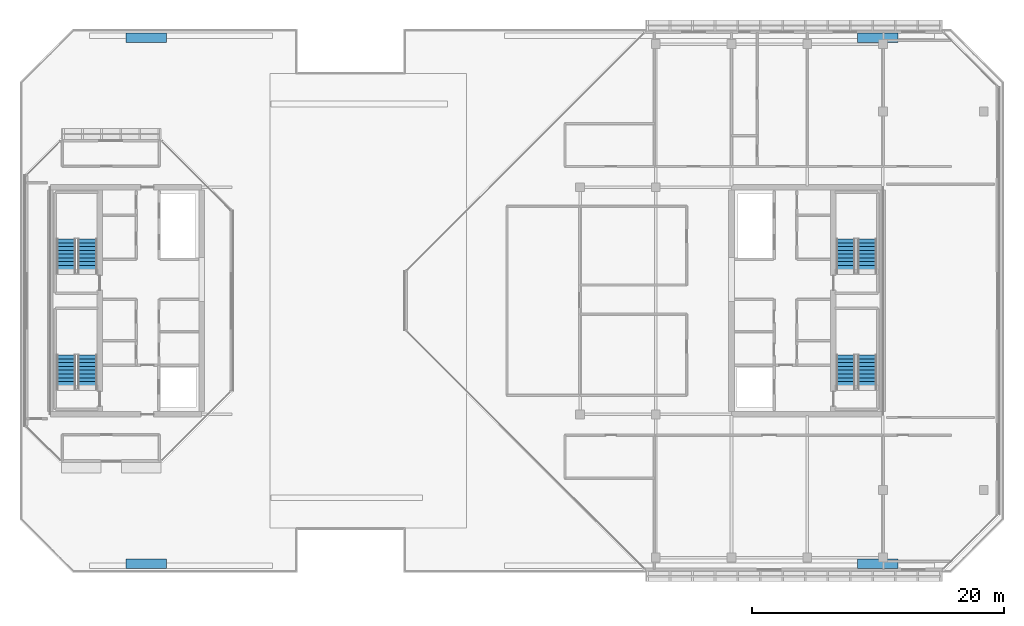
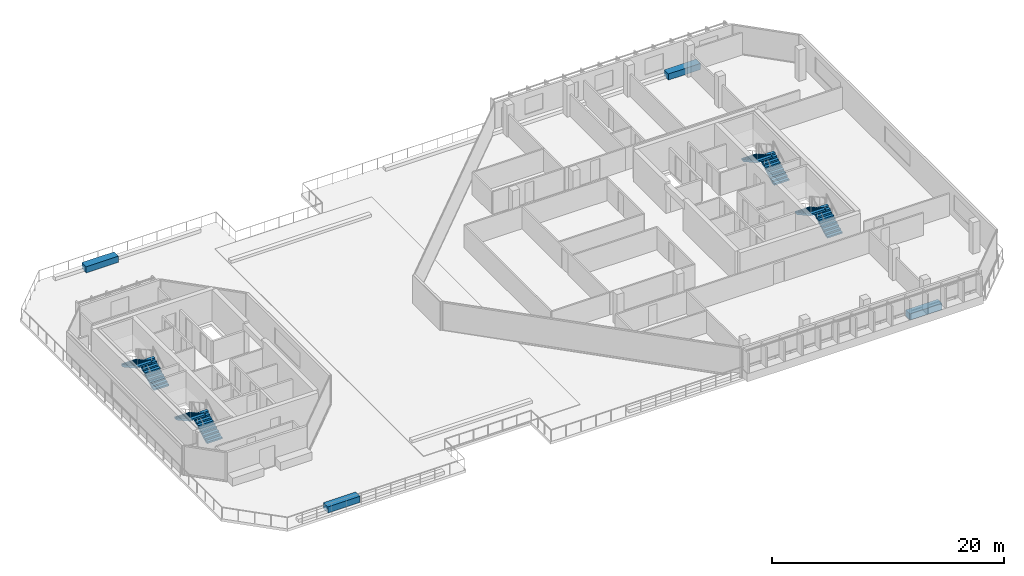
# One storey, part 25 of 30: 8 stair flights, 4 discrete accessories, 4 elements without a shape of their own.
"""IFC4 building model written with IfcOpenShell, lengths in metres."""

from ifc_helpers import new_model, si_unit, direction, frame, origin, origin_2d, place, context, subcontext, project, spatial, polyline, rectangle, outline, extrude, material, type_object, element, aggregate, save


model = new_model("IFC4")

# Units and contexts
model_context = context("Model", 3, precision=1e-05, world=origin(), true_north=direction((0.0, 1.0)))
body_context = subcontext(model_context, "Body", "Model", "MODEL_VIEW")
ifc_project = project(units=[si_unit("LENGTHUNIT", "METRE"), si_unit("AREAUNIT", "SQUARE_METRE"), si_unit("VOLUMEUNIT", "CUBIC_METRE"), si_unit("PLANEANGLEUNIT", "RADIAN"), si_unit("MASSUNIT", "GRAM", prefix="KILO")], contexts=[model_context])

# Site, building, storey
site_placement = place(None, origin())
site = spatial("IfcSite", under=ifc_project, at=site_placement, CompositionType="ELEMENT")
building_placement = place(site_placement, origin())
building = spatial("IfcBuilding", under=site, at=building_placement, Name="Tanjung Sevakor Pilgrim Tower", CompositionType="ELEMENT")
storey_placement = place(building_placement, frame((0.0, 0.0, 229.35009765625)))
storey = spatial("IfcBuildingStorey", under=building, at=storey_placement, Name="L64", CompositionType="ELEMENT", Elevation=229.35009765625)

# Stair, stair flights
ifc_material_1 = material(Name="Concrete C40/50", Category="concrete")
stair_type = type_object("IfcStairType", Name="STAIR-ST-CR150", PredefinedType="HALF_TURN_STAIR", material=ifc_material_1)
stair_1_placement = place(storey_placement, origin())
stair_1 = element("IfcStair", 1, at=stair_1_placement, inside=storey, type_object=stair_type, Name="L64 West Core Exit Stair 1", PredefinedType="HALF_TURN_STAIR")
ifc_material_2 = material(Name="Concrete C40/50", Category="concrete")
stair_flight_type = type_object("IfcStairFlightType", Name="FLIGHT-ST-CR150", PredefinedType="STRAIGHT", material=ifc_material_2)
stair_flight_1_placement = place(storey_placement, frame((26.949951171875, 26.60009765625, 0.0), z_axis=(0.0, 0.0, 1.0), x_axis=(0.0, 1.0, 0.0)))
stair_flight_1 = element("IfcStairFlight", 2, at=stair_flight_1_placement, type_object=stair_flight_type, Name="TS-W1 flight 1", NumberOfRisers=10, NumberOfTreads=9, PredefinedType="STRAIGHT", RiserHeight=0.165, TreadLength=0.3, context=body_context, shape_type="SweptSolid", body=[
    extrude(outline(polyline([(0.0, 0.0), (0.0, 0.1650390625), (0.300048828125, 0.1650390625), (0.300048828125, 0.330078125), (0.60009765625, 0.330078125), (0.60009765625, 0.4951171875), (0.89990234375, 0.4951171875), (0.89990234375, 0.659912109375), (1.199951171875, 0.659912109375), (1.199951171875, 0.824951171875), (1.5, 0.824951171875), (1.5, 0.989990234375), (1.800048828125, 0.989990234375), (1.800048828125, 1.155029296875), (2.10009765625, 1.155029296875), (2.10009765625, 1.320068359375), (2.39990234375, 1.320068359375), (2.39990234375, 1.485107421875), (2.699951171875, 1.485107421875), (2.699951171875, 1.64990234375), (2.699951171875, 1.302490234375), (0.331787109375, 0.0), (0.0, 0.0)])), frame((0.0, 0.75, 0.0), z_axis=(0.0, -1.0, 0.0), x_axis=(1.0, 0.0, 0.0)), (0.0, 0.0, 1.0), 1.5),
])
stair_flight_2_placement = place(storey_placement, frame((25.25, 29.300048828125, 1.64990234375), z_axis=(0.0, 0.0, 1.0), x_axis=(0.0, -1.0, 0.0)))
stair_flight_2 = element("IfcStairFlight", 3, at=stair_flight_2_placement, type_object=stair_flight_type, Name="TS-W1 flight 2", NumberOfRisers=10, NumberOfTreads=9, PredefinedType="STRAIGHT", RiserHeight=0.165, TreadLength=0.3, context=body_context, shape_type="SweptSolid", body=[
    extrude(outline(polyline([(0.0, 0.0), (0.0, 0.1650390625), (0.300048828125, 0.1650390625), (0.300048828125, 0.330078125), (0.60009765625, 0.330078125), (0.60009765625, 0.4951171875), (0.89990234375, 0.4951171875), (0.89990234375, 0.659912109375), (1.199951171875, 0.659912109375), (1.199951171875, 0.824951171875), (1.5, 0.824951171875), (1.5, 0.989990234375), (1.800048828125, 0.989990234375), (1.800048828125, 1.155029296875), (2.10009765625, 1.155029296875), (2.10009765625, 1.320068359375), (2.39990234375, 1.320068359375), (2.39990234375, 1.485107421875), (2.699951171875, 1.485107421875), (2.699951171875, 1.64990234375), (2.699951171875, 1.302490234375), (0.331787109375, 0.0), (0.0, 0.0)])), frame((0.0, 0.75, 0.0), z_axis=(0.0, -1.0, 0.0), x_axis=(1.0, 0.0, 0.0)), (0.0, 0.0, 1.0), 1.5),
])
aggregate(stair_1, [stair_flight_1, stair_flight_2])

stair_2_placement = place(storey_placement, origin())
stair_2 = element("IfcStair", 4, at=stair_2_placement, inside=storey, type_object=stair_type, Name="L64 West Core Exit Stair 2", PredefinedType="HALF_TURN_STAIR")
stair_flight_3_placement = place(storey_placement, frame((26.949951171875, 35.800048828125, 0.0), z_axis=(0.0, 0.0, 1.0), x_axis=(0.0, 1.0, 0.0)))
stair_flight_3 = element("IfcStairFlight", 5, at=stair_flight_3_placement, type_object=stair_flight_type, Name="TS-W2 flight 1", NumberOfRisers=10, NumberOfTreads=9, PredefinedType="STRAIGHT", RiserHeight=0.165, TreadLength=0.3, context=body_context, shape_type="SweptSolid", body=[
    extrude(outline(polyline([(0.0, 0.0), (0.0, 0.1650390625), (0.300048828125, 0.1650390625), (0.300048828125, 0.330078125), (0.60009765625, 0.330078125), (0.60009765625, 0.4951171875), (0.89990234375, 0.4951171875), (0.89990234375, 0.659912109375), (1.199951171875, 0.659912109375), (1.199951171875, 0.824951171875), (1.5, 0.824951171875), (1.5, 0.989990234375), (1.800048828125, 0.989990234375), (1.800048828125, 1.155029296875), (2.10009765625, 1.155029296875), (2.10009765625, 1.320068359375), (2.39990234375, 1.320068359375), (2.39990234375, 1.485107421875), (2.699951171875, 1.485107421875), (2.699951171875, 1.64990234375), (2.699951171875, 1.302490234375), (0.331787109375, 0.0), (0.0, 0.0)])), frame((0.0, 0.75, 0.0), z_axis=(0.0, -1.0, 0.0), x_axis=(1.0, 0.0, 0.0)), (0.0, 0.0, 1.0), 1.5),
])
stair_flight_4_placement = place(storey_placement, frame((25.25, 38.5, 1.64990234375), z_axis=(0.0, 0.0, 1.0), x_axis=(0.0, -1.0, 0.0)))
stair_flight_4 = element("IfcStairFlight", 6, at=stair_flight_4_placement, type_object=stair_flight_type, Name="TS-W2 flight 2", NumberOfRisers=10, NumberOfTreads=9, PredefinedType="STRAIGHT", RiserHeight=0.165, TreadLength=0.3, context=body_context, shape_type="SweptSolid", body=[
    extrude(outline(polyline([(0.0, 0.0), (0.0, 0.1650390625), (0.300048828125, 0.1650390625), (0.300048828125, 0.330078125), (0.60009765625, 0.330078125), (0.60009765625, 0.4951171875), (0.89990234375, 0.4951171875), (0.89990234375, 0.659912109375), (1.199951171875, 0.659912109375), (1.199951171875, 0.824951171875), (1.5, 0.824951171875), (1.5, 0.989990234375), (1.800048828125, 0.989990234375), (1.800048828125, 1.155029296875), (2.10009765625, 1.155029296875), (2.10009765625, 1.320068359375), (2.39990234375, 1.320068359375), (2.39990234375, 1.485107421875), (2.699951171875, 1.485107421875), (2.699951171875, 1.64990234375), (2.699951171875, 1.302490234375), (0.331787109375, 0.0), (0.0, 0.0)])), frame((0.0, 0.75, 0.0), z_axis=(0.0, -1.0, 0.0), x_axis=(1.0, 0.0, 0.0)), (0.0, 0.0, 1.0), 1.5),
])
aggregate(stair_2, [stair_flight_3, stair_flight_4])

stair_3_placement = place(storey_placement, origin())
stair_3 = element("IfcStair", 7, at=stair_3_placement, inside=storey, type_object=stair_type, Name="L64 East Core Exit Stair 1", PredefinedType="HALF_TURN_STAIR")
stair_flight_5_placement = place(storey_placement, frame((88.75, 26.60009765625, 0.0), z_axis=(0.0, 0.0, 1.0), x_axis=(0.0, 1.0, 0.0)))
stair_flight_5 = element("IfcStairFlight", 8, at=stair_flight_5_placement, type_object=stair_flight_type, Name="TS-E1 flight 1", NumberOfRisers=10, NumberOfTreads=9, PredefinedType="STRAIGHT", RiserHeight=0.165, TreadLength=0.3, context=body_context, shape_type="SweptSolid", body=[
    extrude(outline(polyline([(0.0, 0.0), (0.0, 0.1650390625), (0.300048828125, 0.1650390625), (0.300048828125, 0.330078125), (0.60009765625, 0.330078125), (0.60009765625, 0.4951171875), (0.89990234375, 0.4951171875), (0.89990234375, 0.659912109375), (1.199951171875, 0.659912109375), (1.199951171875, 0.824951171875), (1.5, 0.824951171875), (1.5, 0.989990234375), (1.800048828125, 0.989990234375), (1.800048828125, 1.155029296875), (2.10009765625, 1.155029296875), (2.10009765625, 1.320068359375), (2.39990234375, 1.320068359375), (2.39990234375, 1.485107421875), (2.699951171875, 1.485107421875), (2.699951171875, 1.64990234375), (2.699951171875, 1.302490234375), (0.331787109375, 0.0), (0.0, 0.0)])), frame((0.0, 0.75, 0.0), z_axis=(0.0, -1.0, 0.0), x_axis=(1.0, 0.0, 0.0)), (0.0, 0.0, 1.0), 1.5),
])
stair_flight_6_placement = place(storey_placement, frame((87.050048828125, 29.300048828125, 1.64990234375), z_axis=(0.0, 0.0, 1.0), x_axis=(0.0, -1.0, 0.0)))
stair_flight_6 = element("IfcStairFlight", 9, at=stair_flight_6_placement, type_object=stair_flight_type, Name="TS-E1 flight 2", NumberOfRisers=10, NumberOfTreads=9, PredefinedType="STRAIGHT", RiserHeight=0.165, TreadLength=0.3, context=body_context, shape_type="SweptSolid", body=[
    extrude(outline(polyline([(0.0, 0.0), (0.0, 0.1650390625), (0.300048828125, 0.1650390625), (0.300048828125, 0.330078125), (0.60009765625, 0.330078125), (0.60009765625, 0.4951171875), (0.89990234375, 0.4951171875), (0.89990234375, 0.659912109375), (1.199951171875, 0.659912109375), (1.199951171875, 0.824951171875), (1.5, 0.824951171875), (1.5, 0.989990234375), (1.800048828125, 0.989990234375), (1.800048828125, 1.155029296875), (2.10009765625, 1.155029296875), (2.10009765625, 1.320068359375), (2.39990234375, 1.320068359375), (2.39990234375, 1.485107421875), (2.699951171875, 1.485107421875), (2.699951171875, 1.64990234375), (2.699951171875, 1.302490234375), (0.331787109375, 0.0), (0.0, 0.0)])), frame((0.0, 0.75, 0.0), z_axis=(0.0, -1.0, 0.0), x_axis=(1.0, 0.0, 0.0)), (0.0, 0.0, 1.0), 1.5),
])
aggregate(stair_3, [stair_flight_5, stair_flight_6])

stair_4_placement = place(storey_placement, origin())
stair_4 = element("IfcStair", 10, at=stair_4_placement, inside=storey, type_object=stair_type, Name="L64 East Core Exit Stair 2", PredefinedType="HALF_TURN_STAIR")
stair_flight_7_placement = place(storey_placement, frame((88.75, 35.800048828125, 0.0), z_axis=(0.0, 0.0, 1.0), x_axis=(0.0, 1.0, 0.0)))
stair_flight_7 = element("IfcStairFlight", 11, at=stair_flight_7_placement, type_object=stair_flight_type, Name="TS-E2 flight 1", NumberOfRisers=10, NumberOfTreads=9, PredefinedType="STRAIGHT", RiserHeight=0.165, TreadLength=0.3, context=body_context, shape_type="SweptSolid", body=[
    extrude(outline(polyline([(0.0, 0.0), (0.0, 0.1650390625), (0.300048828125, 0.1650390625), (0.300048828125, 0.330078125), (0.60009765625, 0.330078125), (0.60009765625, 0.4951171875), (0.89990234375, 0.4951171875), (0.89990234375, 0.659912109375), (1.199951171875, 0.659912109375), (1.199951171875, 0.824951171875), (1.5, 0.824951171875), (1.5, 0.989990234375), (1.800048828125, 0.989990234375), (1.800048828125, 1.155029296875), (2.10009765625, 1.155029296875), (2.10009765625, 1.320068359375), (2.39990234375, 1.320068359375), (2.39990234375, 1.485107421875), (2.699951171875, 1.485107421875), (2.699951171875, 1.64990234375), (2.699951171875, 1.302490234375), (0.331787109375, 0.0), (0.0, 0.0)])), frame((0.0, 0.75, 0.0), z_axis=(0.0, -1.0, 0.0), x_axis=(1.0, 0.0, 0.0)), (0.0, 0.0, 1.0), 1.5),
])
stair_flight_8_placement = place(storey_placement, frame((87.050048828125, 38.5, 1.64990234375), z_axis=(0.0, 0.0, 1.0), x_axis=(0.0, -1.0, 0.0)))
stair_flight_8 = element("IfcStairFlight", 12, at=stair_flight_8_placement, type_object=stair_flight_type, Name="TS-E2 flight 2", NumberOfRisers=10, NumberOfTreads=9, PredefinedType="STRAIGHT", RiserHeight=0.165, TreadLength=0.3, context=body_context, shape_type="SweptSolid", body=[
    extrude(outline(polyline([(0.0, 0.0), (0.0, 0.1650390625), (0.300048828125, 0.1650390625), (0.300048828125, 0.330078125), (0.60009765625, 0.330078125), (0.60009765625, 0.4951171875), (0.89990234375, 0.4951171875), (0.89990234375, 0.659912109375), (1.199951171875, 0.659912109375), (1.199951171875, 0.824951171875), (1.5, 0.824951171875), (1.5, 0.989990234375), (1.800048828125, 0.989990234375), (1.800048828125, 1.155029296875), (2.10009765625, 1.155029296875), (2.10009765625, 1.320068359375), (2.39990234375, 1.320068359375), (2.39990234375, 1.485107421875), (2.699951171875, 1.485107421875), (2.699951171875, 1.64990234375), (2.699951171875, 1.302490234375), (0.331787109375, 0.0), (0.0, 0.0)])), frame((0.0, 0.75, 0.0), z_axis=(0.0, -1.0, 0.0), x_axis=(1.0, 0.0, 0.0)), (0.0, 0.0, 1.0), 1.5),
])
aggregate(stair_4, [stair_flight_7, stair_flight_8])

# Discrete accessories
ifc_material_3 = material(Name="Reconstructed Limestone Precast C45/55", Category="masonry")
discrete_accessory_type = type_object("IfcDiscreteAccessoryType", Name="ACC-PLANTER-STN1", PredefinedType="USERDEFINED", material=ifc_material_3)
for number, where, z_axis, x_axis, name in (
    (13, (31.60009765625, 12.75, 0.0), (0.0, 0.0, 1.0), (1.0, 0.0, 0.0), "L64 Sky Terrace Stone Planter 047"),
    (14, (31.60009765625, 54.449951171875, 0.0), (0.0, 0.0, 1.0), (1.0, 0.0, 0.0), "L64 Sky Terrace Stone Planter 048"),
    (15, (89.60009765625, 12.75, 0.0), (0.0, 0.0, 1.0), (1.0, 0.0, 0.0), "L64 Sky Terrace Stone Planter 049"),
    (16, (89.60009765625, 54.449951171875, 0.0), (0.0, 0.0, 1.0), (1.0, 0.0, 0.0), "L64 Sky Terrace Stone Planter 050"),
):
    element("IfcDiscreteAccessory", number, at=place(storey_placement, frame(where, z_axis=z_axis, x_axis=x_axis)), inside=storey, type_object=discrete_accessory_type, Name=name, ObjectType="PLANTER", PredefinedType="USERDEFINED", context=body_context, shape_type="SweptSolid", body=[
        extrude(rectangle(XDim=3.199951171875, YDim=0.75, at=origin_2d()), origin(), (0.0, 0.0, 1.0), 0.64990234375),
    ])

save(model, "model.ifc")
